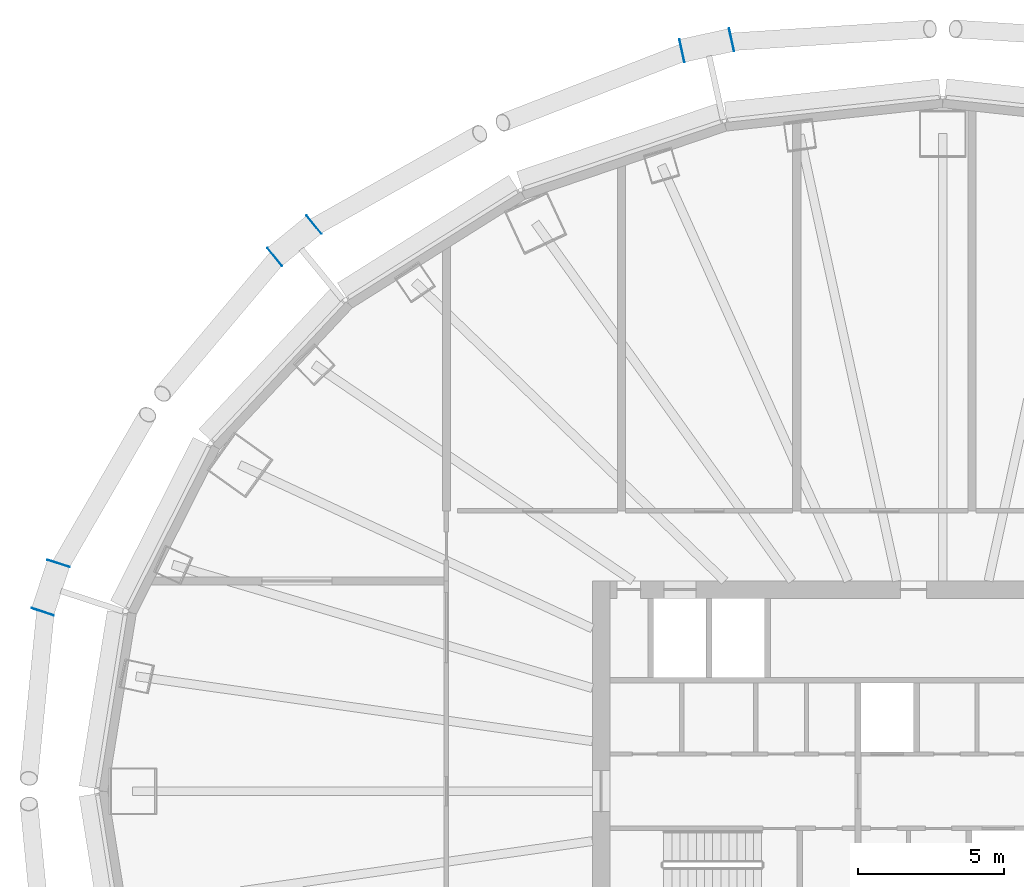
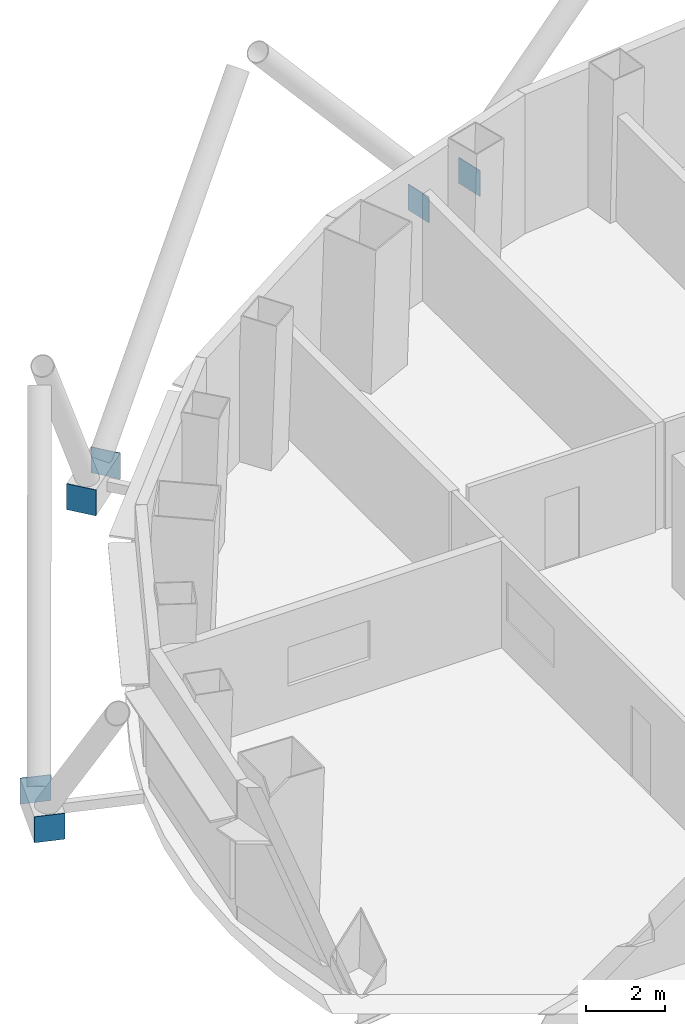
# One storey, part 9 of 14: 6 discrete accessories.
"""IFC4 building model written with IfcOpenShell, lengths in metres."""

from ifc_helpers import new_model, si_unit, direction, frame, origin, origin_2d, place, context, subcontext, project, spatial, rectangle, extrude, material, layer, layer_set, type_object, element, save


model = new_model("IFC4")

# Units and contexts
model_context = context("Model", 3, precision=1e-05, world=origin(), true_north=direction((0.0, 1.0)))
body_context = subcontext(model_context, "Body", "Model", "MODEL_VIEW")
ifc_project = project(units=[si_unit("LENGTHUNIT", "METRE"), si_unit("AREAUNIT", "SQUARE_METRE"), si_unit("VOLUMEUNIT", "CUBIC_METRE"), si_unit("PLANEANGLEUNIT", "RADIAN"), si_unit("MASSUNIT", "GRAM", prefix="KILO")], contexts=[model_context])

# Site, building, storey
site_placement = place(None, origin())
site = spatial("IfcSite", under=ifc_project, at=site_placement, CompositionType="ELEMENT")
building_placement = place(site_placement, origin())
building = spatial("IfcBuilding", under=site, at=building_placement, Name="Siaravel Broadcast Tower", CompositionType="ELEMENT")
storey_placement = place(building_placement, frame((0.0, 0.0, 20.0)))
storey = spatial("IfcBuildingStorey", under=building, at=storey_placement, Name="L03", CompositionType="ELEMENT", Elevation=20.0)

# Discrete accessories
ifc_material = material(Name="Steel S355", Category="steel")
ifc_layer = layer(ifc_material, 0.02001953125)
ifc_layer_set = layer_set([ifc_layer], Name="Steel S355")
discrete_accessory_type = type_object("IfcDiscreteAccessoryType", Name="Steel end plate 20 mm", PredefinedType="USERDEFINED", material=ifc_layer_set)
for number, where, z_axis, x_axis, name in (
    (1, (-8.932861328125, 25.357177734375, -0.60009765625), (0.0, 0.0, 1.0), (-0.976750917, -0.214377344, 0.0), "End plate R02 station 21A"),
    (2, (-7.232177734375, 25.73046875, -0.60009765625), (0.0, 0.0, 1.0), (-0.976750917, -0.214377344, 0.0), "End plate R02 station 21B"),
    (3, (-22.880126953125, 18.300048828125, -0.60009765625), (0.0, 0.0, 1.0), (-0.773604694, -0.633668508, 0.0), "End plate R02 station 27A"),
    (4, (-21.533203125, 19.4033203125, -0.60009765625), (0.0, 0.0, 1.0), (-0.773604694, -0.633668508, 0.0), "End plate R02 station 27B"),
    (5, (-30.825927734375, 6.14501953125, -0.60009765625), (0.0, 0.0, 1.0), (-0.310908675, -0.950439791, 0.0), "End plate R02 station 33A"),
    (6, (-30.284912109375, 7.7998046875, -0.60009765625), (0.0, 0.0, 1.0), (-0.310908675, -0.950439791, 0.0), "End plate R02 station 33B"),
):
    element("IfcDiscreteAccessory", number, at=place(storey_placement, frame(where, z_axis=z_axis, x_axis=x_axis)), inside=storey, type_object=discrete_accessory_type, Name=name, ObjectType="END PLATE", PredefinedType="USERDEFINED", context=body_context, shape_type="SweptSolid", body=[
        extrude(rectangle(XDim=0.02001953125, YDim=0.800048828125, at=origin_2d()), origin(), (0.0, 0.0, 1.0), 0.800048828125),
    ])

save(model, "model.ifc")
